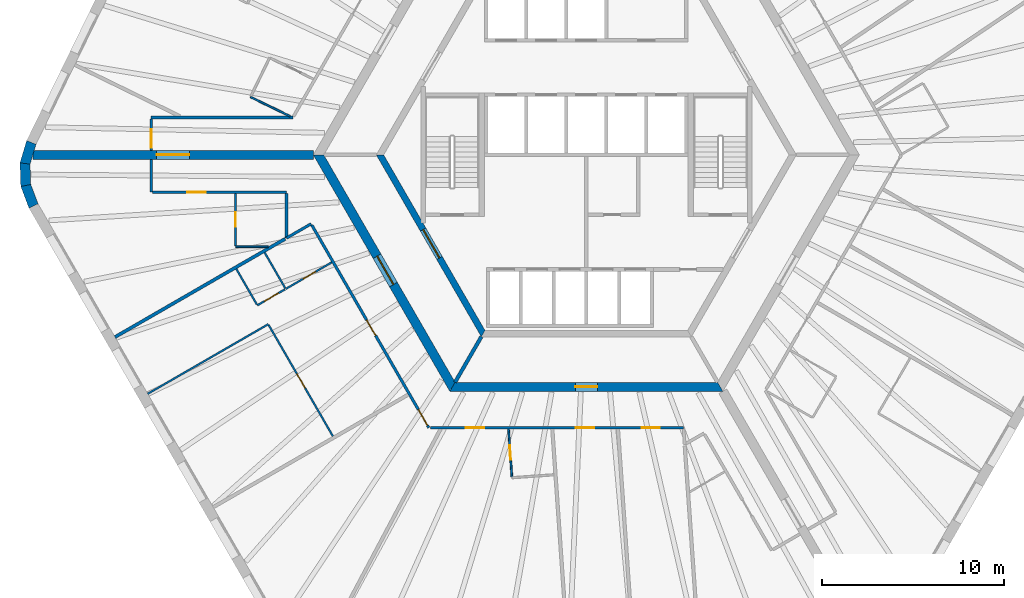
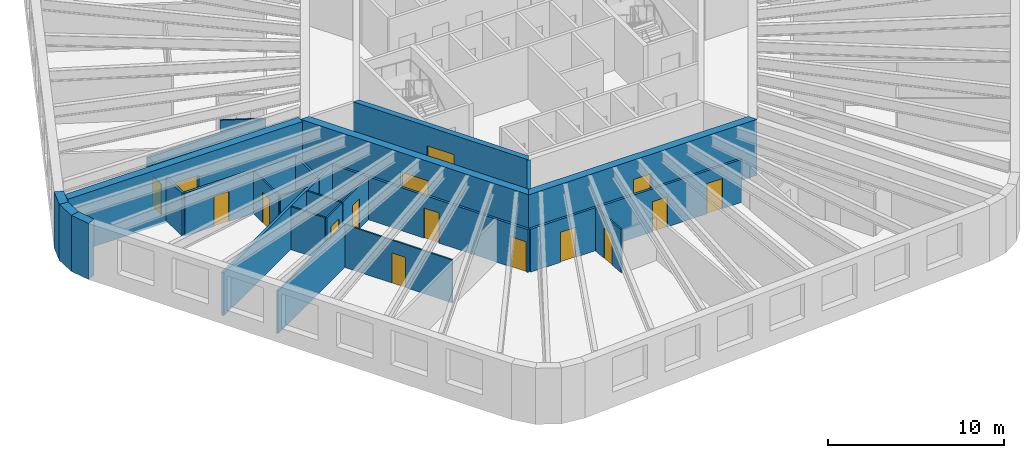
# One storey, part 3 of 10: 27 walls, 16 doors, 16 openings.
"""IFC4 building model written with IfcOpenShell, lengths in metres."""

from ifc_helpers import new_model, si_unit, direction, frame, frame_2d, origin, place, context, subcontext, project, spatial, polyline, rectangle, outline, extrude, material, layer, layer_set, type_object, element, fill, save


model = new_model("IFC4")

# Units and contexts
model_context = context("Model", 3, precision=1e-05, world=origin(), true_north=direction((0.0, 1.0)))
body_context = subcontext(model_context, "Body", "Model", "MODEL_VIEW")
ifc_project = project(units=[si_unit("LENGTHUNIT", "METRE"), si_unit("AREAUNIT", "SQUARE_METRE"), si_unit("VOLUMEUNIT", "CUBIC_METRE"), si_unit("PLANEANGLEUNIT", "RADIAN"), si_unit("MASSUNIT", "GRAM", prefix="KILO")], contexts=[model_context])

# Site, building, storey
site_placement = place(None, origin())
site = spatial("IfcSite", under=ifc_project, at=site_placement, CompositionType="ELEMENT")
building_placement = place(site_placement, origin())
building = spatial("IfcBuilding", under=site, at=building_placement, Name="Tarnside Tower", CompositionType="ELEMENT")
storey_placement = place(building_placement, frame((0.0, 0.0, 203.39990234375)))
storey = spatial("IfcBuildingStorey", under=building, at=storey_placement, Name="L48", CompositionType="ELEMENT", Elevation=203.39990234375)

# Walls
ifc_material_1 = material(Name="Gypsum board partition on steel studs", Category="steel")
ifc_layer_1 = layer(ifc_material_1, 0.10009765625)
ifc_layer_set_1 = layer_set([ifc_layer_1], Name="Bathroom wall 100")
wall_type_1 = type_object("IfcWallType", Name="Bathroom wall 100", PredefinedType="PARTITIONING", material=ifc_layer_set_1)
wall_1_placement = place(storey_placement, frame((-16.290771484375, 2.125, 0.0), z_axis=(0.0, 0.0, 1.0), x_axis=(-0.898785911157, 0.438387825909, 0.0)))
element("IfcWall", 1, at=wall_1_placement, inside=storey, type_object=wall_type_1, Name="Bathroom wall 15065", PredefinedType="PARTITIONING", context=body_context, shape_type="SweptSolid", body=[
    extrude(rectangle(XDim=2.41796875, YDim=0.10009765625, at=frame_2d((1.208984375, 0.0))), origin(), (0.0, 0.0, 1.0), 2.98779296875),
])
wall_2_placement = place(storey_placement, frame((-17.4912109375, -5.050048828125, 0.0), z_axis=(0.0, 0.0, 1.0), x_axis=(-1.0, 0.0, 0.0)))
element("IfcWall", 2, at=wall_2_placement, inside=storey, type_object=wall_type_1, Name="Bathroom wall 15071", PredefinedType="PARTITIONING", context=body_context, shape_type="SweptSolid", body=[
    extrude(rectangle(XDim=1.795654296875, YDim=0.10009765625, at=frame_2d((0.89794921875, 0.0))), origin(), (0.0, 0.0, 1.0), 2.98779296875),
])

# Wall, opening, door
wall_3_placement = place(storey_placement, frame((-19.286865234375, -5.0, 0.0), z_axis=(0.0, 0.0, 1.0), x_axis=(0.0, 1.0, 0.0)))
wall_3 = element("IfcWall", 3, at=wall_3_placement, inside=storey, type_object=wall_type_1, Name="Bathroom wall 15072", PredefinedType="PARTITIONING", context=body_context, shape_type="SweptSolid", body=[
    extrude(rectangle(XDim=2.875, YDim=0.10009765625, at=frame_2d((1.4375, 0.0))), origin(), (0.0, 0.0, 1.0), 2.98779296875),
])
opening_1_placement = place(wall_3_placement, frame((1.050048828125, 0.0, 0.0)))
opening_1 = element("IfcOpeningElement", 4, at=opening_1_placement, cuts=wall_3, Name="Opening D-B1", PredefinedType="OPENING", context=body_context, shape_type="SweptSolid", body=[
    extrude(rectangle(XDim=0.800048828125, YDim=2.10009765625, at=frame_2d((0.39990234375, 1.050048828125))), frame((0.0, 0.06005859375, 0.0), z_axis=(0.0, -1.0, 0.0), x_axis=(1.0, 0.0, 0.0)), (0.0, 0.0, 1.0), 0.1201171875),
])
ifc_material_2 = material(Name="Timber door leaf", Category="wood")
door_type_1 = type_object("IfcDoorType", Name="Bathroom door 800", OperationType="NOTDEFINED", PredefinedType="DOOR", material=ifc_material_2)
door_1_placement = place(opening_1_placement, origin())
door_1 = element("IfcDoor", 5, at=door_1_placement, inside=storey, type_object=door_type_1, Name="Bathroom door 15013", OperationType="SINGLE_SWING_LEFT", OverallHeight=2.10009765625, OverallWidth=0.800048828125, PredefinedType="DOOR", context=body_context, shape_type="SweptSolid", body=[
    extrude(rectangle(XDim=0.800048828125, YDim=2.10009765625, at=frame_2d((0.39990234375, 1.050048828125))), frame((0.0, 0.02490234375, 0.0), z_axis=(0.0, -1.0, 0.0), x_axis=(1.0, 0.0, 0.0)), (0.0, 0.0, 1.0), 0.050048828125),
])
fill(opening_1, door_1)

wall_4_placement = place(storey_placement, frame((-13.996337890625, -5.907470703125, 0.0), z_axis=(0.0, 0.0, 1.0), x_axis=(-0.86601045545, -0.500025890382, 0.0)))
wall_4 = element("IfcWall", 6, at=wall_4_placement, inside=storey, type_object=wall_type_1, Name="Bathroom wall 15077", PredefinedType="PARTITIONING", context=body_context, shape_type="SweptSolid", body=[
    extrude(rectangle(XDim=2.925048828125, YDim=0.10009765625, at=frame_2d((1.46240234375, 0.0))), origin(), (0.0, 0.0, 1.0), 2.98779296875),
])
opening_2_placement = place(wall_4_placement, frame((1.02490234375, 0.0, 0.0)))
opening_2 = element("IfcOpeningElement", 7, at=opening_2_placement, cuts=wall_4, Name="Opening D-B1", PredefinedType="OPENING", context=body_context, shape_type="SweptSolid", body=[
    extrude(rectangle(XDim=0.800048828125, YDim=2.10009765625, at=frame_2d((0.39990234375, 1.050048828125))), frame((0.0, 0.06005859375, 0.0), z_axis=(0.0, -1.0, 0.0), x_axis=(1.0, 0.0, 0.0)), (0.0, 0.0, 1.0), 0.1201171875),
])
door_2_placement = place(opening_2_placement, origin())
door_2 = element("IfcDoor", 8, at=door_2_placement, inside=storey, type_object=door_type_1, Name="Bathroom door 15015", OperationType="SINGLE_SWING_RIGHT", OverallHeight=2.10009765625, OverallWidth=0.800048828125, PredefinedType="DOOR", context=body_context, shape_type="SweptSolid", body=[
    extrude(rectangle(XDim=0.800048828125, YDim=2.10009765625, at=frame_2d((0.39990234375, 1.050048828125))), frame((0.0, 0.02490234375, 0.0), z_axis=(0.0, -1.0, 0.0), x_axis=(1.0, 0.0, 0.0)), (0.0, 0.0, 1.0), 0.050048828125),
])
fill(opening_2, door_2)

# Wall
wall_5_placement = place(storey_placement, frame((-17.6845703125, -5.36962890625, 0.0), z_axis=(0.0, 0.0, 1.0), x_axis=(0.500077800282, -0.865980481111, 0.0)))
element("IfcWall", 9, at=wall_5_placement, inside=storey, type_object=wall_type_1, Name="Bathroom wall 15083", PredefinedType="PARTITIONING", context=body_context, shape_type="SweptSolid", body=[
    extrude(rectangle(XDim=2.260009765625, YDim=0.10009765625, at=frame_2d((1.1298828125, 0.0))), origin(), (0.0, 0.0, 1.0), 2.98779296875),
])

# Wall, opening, door
wall_6_placement = place(storey_placement, frame((-4.09326171875, -17.698486328125, 0.0), z_axis=(0.0, 0.0, 1.0), x_axis=(-0.069808804481, 0.997560389559, 0.0)))
wall_6 = element("IfcWall", 10, at=wall_6_placement, inside=storey, type_object=wall_type_1, Name="Bathroom wall 15087", PredefinedType="PARTITIONING", context=body_context, shape_type="SweptSolid", body=[
    extrude(rectangle(XDim=2.6298828125, YDim=0.10009765625, at=frame_2d((1.31494140625, 0.0))), origin(), (0.0, 0.0, 1.0), 2.98779296875),
])
opening_3_placement = place(wall_6_placement, frame((0.949951171875, 0.0, 0.0)))
opening_3 = element("IfcOpeningElement", 11, at=opening_3_placement, cuts=wall_6, Name="Opening D-B1", PredefinedType="OPENING", context=body_context, shape_type="SweptSolid", body=[
    extrude(rectangle(XDim=0.800048828125, YDim=2.10009765625, at=frame_2d((0.39990234375, 1.050048828125))), frame((0.0, 0.06005859375, 0.0), z_axis=(0.0, -1.0, 0.0), x_axis=(1.0, 0.0, 0.0)), (0.0, 0.0, 1.0), 0.1201171875),
])
door_3_placement = place(opening_3_placement, origin())
door_3 = element("IfcDoor", 12, at=door_3_placement, inside=storey, type_object=door_type_1, Name="Bathroom door 15020", OperationType="SINGLE_SWING_LEFT", OverallHeight=2.10009765625, OverallWidth=0.800048828125, PredefinedType="DOOR", context=body_context, shape_type="SweptSolid", body=[
    extrude(rectangle(XDim=0.800048828125, YDim=2.10009765625, at=frame_2d((0.39990234375, 1.050048828125))), frame((0.0, 0.02490234375, 0.0), z_axis=(0.0, -1.0, 0.0), x_axis=(1.0, 0.0, 0.0)), (0.0, 0.0, 1.0), 0.050048828125),
])
fill(opening_3, door_3)

ifc_material_3 = material(Name="Concrete C50/60", Category="concrete")
ifc_layer_2 = layer(ifc_material_3, 0.35009765625)
ifc_layer_set_2 = layer_set([ifc_layer_2], Name="Core block wall 350 C50/60")
wall_type_2 = type_object("IfcWallType", Name="Core block wall 350 C50/60", PredefinedType="SHEAR", material=ifc_layer_set_2)
wall_7_placement = place(storey_placement, frame((-11.344970703125, 0.0, -0.14990234375), z_axis=(0.0, 0.0, 1.0), x_axis=(0.499995046907, -0.866028263435, 0.0)))
wall_7 = element("IfcWall", 13, at=wall_7_placement, inside=storey, type_object=wall_type_2, Name="L48 core block wall face 3", PredefinedType="SHEAR", context=body_context, shape_type="SweptSolid", body=[
    extrude(outline(polyline([(-0.10107421875, -0.175048828125), (11.44580078125, -0.175048828125), (11.24365234375, 0.175048828125), (0.10107421875, 0.175048828125), (-0.10107421875, -0.175048828125)])), origin(), (0.0, 0.0, 1.0), 3.89990234375),
])
opening_4_placement = place(wall_7_placement, frame((4.74365234375, 0.0, 0.14990234375)))
opening_4 = element("IfcOpeningElement", 14, at=opening_4_placement, cuts=wall_7, Name="Opening CD-FFL", PredefinedType="OPENING", context=body_context, shape_type="SweptSolid", body=[
    extrude(rectangle(XDim=1.800048828125, YDim=2.39990234375, at=frame_2d((0.89990234375, 1.199951171875))), frame((0.0, 0.18505859375, 0.0), z_axis=(0.0, -1.0, 0.0), x_axis=(1.0, 0.0, 0.0)), (0.0, 0.0, 1.0), 0.3701171875),
])
ifc_material_4 = material(Name="Steel fire door", Category="steel")
door_type_2 = type_object("IfcDoorType", Name="Firefighting lobby double door FD60S 1800x2400", OperationType="NOTDEFINED", PredefinedType="DOOR", material=ifc_material_4)
door_4_placement = place(opening_4_placement, origin())
door_4 = element("IfcDoor", 15, at=door_4_placement, inside=storey, type_object=door_type_2, Name="L48 lobby block door P3", OperationType="DOUBLE_DOOR_SINGLE_SWING", OverallHeight=2.39990234375, OverallWidth=1.800048828125, PredefinedType="DOOR", context=body_context, shape_type="SweptSolid", body=[
    extrude(rectangle(XDim=1.800048828125, YDim=2.39990234375, at=frame_2d((0.89990234375, 1.199951171875))), frame((0.0, 0.02490234375, 0.0), z_axis=(0.0, -1.0, 0.0), x_axis=(1.0, 0.0, 0.0)), (0.0, 0.0, 1.0), 0.050048828125),
])
fill(opening_4, door_4)

ifc_material_5 = material(Name="Concrete C70/85", Category="concrete")
ifc_layer_3 = layer(ifc_material_5, 0.5)
ifc_layer_set_3 = layer_set([ifc_layer_3], Name="Core wall Z2 500 C70/85")
wall_type_3 = type_object("IfcWallType", Name="Core wall Z2 500 C70/85", PredefinedType="SHEAR", material=ifc_layer_set_3)
wall_8_placement = place(storey_placement, frame((-14.722412109375, 0.0, -0.14990234375), z_axis=(0.0, 0.0, 1.0), x_axis=(0.50000571537, -0.866022103989, 0.0)))
wall_8 = element("IfcWall", 16, at=wall_8_placement, inside=storey, type_object=wall_type_3, Name="L48 core wall face 3", PredefinedType="SHEAR", context=body_context, shape_type="SweptSolid", body=[
    extrude(outline(polyline([(-0.144287109375, -0.25), (14.86669921875, -0.25), (14.578125, 0.25), (0.144287109375, 0.25), (-0.144287109375, -0.25)])), origin(), (0.0, 0.0, 1.0), 3.89990234375),
])
opening_5_placement = place(wall_8_placement, frame((6.432373046875, 0.0, 0.14990234375)))
opening_5 = element("IfcOpeningElement", 17, at=opening_5_placement, cuts=wall_8, Name="Opening CD-FFL", PredefinedType="OPENING", context=body_context, shape_type="SweptSolid", body=[
    extrude(rectangle(XDim=1.800048828125, YDim=2.39990234375, at=frame_2d((0.89990234375, 1.199951171875))), frame((0.0, 0.260009765625, 0.0), z_axis=(0.0, -1.0, 0.0), x_axis=(1.0, 0.0, 0.0)), (0.0, 0.0, 1.0), 0.52001953125),
])
door_5_placement = place(opening_5_placement, origin())
door_5 = element("IfcDoor", 18, at=door_5_placement, inside=storey, type_object=door_type_2, Name="L48 core door P3", OperationType="DOUBLE_DOOR_SINGLE_SWING", OverallHeight=2.39990234375, OverallWidth=1.800048828125, PredefinedType="DOOR", context=body_context, shape_type="SweptSolid", body=[
    extrude(rectangle(XDim=1.800048828125, YDim=2.39990234375, at=frame_2d((0.89990234375, 1.199951171875))), frame((0.0, 0.02490234375, 0.0), z_axis=(0.0, -1.0, 0.0), x_axis=(1.0, 0.0, 0.0)), (0.0, 0.0, 1.0), 0.050048828125),
])
fill(opening_5, door_5)

wall_9_placement = place(storey_placement, frame((-7.361083984375, -12.75, -0.14990234375), z_axis=(0.0, 0.0, 1.0), x_axis=(1.0, 0.0, 0.0)))
wall_9 = element("IfcWall", 19, at=wall_9_placement, inside=storey, type_object=wall_type_3, Name="L48 core wall face 4", PredefinedType="SHEAR", context=body_context, shape_type="SweptSolid", body=[
    extrude(outline(polyline([(-0.144287109375, -0.25), (14.866455078125, -0.25), (14.577880859375, 0.25), (0.144287109375, 0.25), (-0.144287109375, -0.25)])), origin(), (0.0, 0.0, 1.0), 3.89990234375),
])
opening_6_placement = place(wall_9_placement, frame((6.76123046875, 0.0, 0.14990234375)))
opening_6 = element("IfcOpeningElement", 20, at=opening_6_placement, cuts=wall_9, Name="Opening CD-RSR", PredefinedType="OPENING", context=body_context, shape_type="SweptSolid", body=[
    extrude(rectangle(XDim=1.199951171875, YDim=2.39990234375, at=frame_2d((0.60009765625, 1.199951171875))), frame((0.0, 0.260009765625, 0.0), z_axis=(0.0, -1.0, 0.0), x_axis=(1.0, 0.0, 0.0)), (0.0, 0.0, 1.0), 0.52001953125),
])
door_type_3 = type_object("IfcDoorType", Name="Riser door FD60 1200x2400", OperationType="NOTDEFINED", PredefinedType="DOOR", material=ifc_material_4)
door_6_placement = place(opening_6_placement, origin())
door_6 = element("IfcDoor", 21, at=door_6_placement, inside=storey, type_object=door_type_3, Name="L48 core door S6", OperationType="SINGLE_SWING_LEFT", OverallHeight=2.39990234375, OverallWidth=1.199951171875, PredefinedType="DOOR", context=body_context, shape_type="SweptSolid", body=[
    extrude(rectangle(XDim=1.199951171875, YDim=2.39990234375, at=frame_2d((0.60009765625, 1.199951171875))), frame((0.0, 0.02490234375, 0.0), z_axis=(0.0, -1.0, 0.0), x_axis=(1.0, 0.0, 0.0)), (0.0, 0.0, 1.0), 0.050048828125),
])
fill(opening_6, door_6)

wall_10_placement = place(storey_placement, frame((-15.010986328125, 0.0, -0.14990234375), z_axis=(0.0, 0.0, 1.0), x_axis=(-1.0, 0.0, 0.0)))
wall_10 = element("IfcWall", 22, at=wall_10_placement, inside=storey, type_object=wall_type_3, Name="L48 spine wall 2", PredefinedType="SHEAR", context=body_context, shape_type="SweptSolid", body=[
    extrude(rectangle(XDim=15.423828125, YDim=0.5, at=frame_2d((7.7119140625, 0.0))), origin(), (0.0, 0.0, 1.0), 3.89990234375),
])
opening_7_placement = place(wall_10_placement, frame((6.811767578125, 0.0, 0.14990234375)))
opening_7 = element("IfcOpeningElement", 23, at=opening_7_placement, cuts=wall_10, Name="Opening CD-SPN", PredefinedType="OPENING", context=body_context, shape_type="SweptSolid", body=[
    extrude(rectangle(XDim=1.800048828125, YDim=2.39990234375, at=frame_2d((0.89990234375, 1.199951171875))), frame((0.0, 0.260009765625, 0.0), z_axis=(0.0, -1.0, 0.0), x_axis=(1.0, 0.0, 0.0)), (0.0, 0.0, 1.0), 0.52001953125),
])
door_type_4 = type_object("IfcDoorType", Name="Spine passage double door FD60 1800x2400", OperationType="NOTDEFINED", PredefinedType="DOOR", material=ifc_material_4)
door_7_placement = place(opening_7_placement, origin())
door_7 = element("IfcDoor", 24, at=door_7_placement, inside=storey, type_object=door_type_4, Name="L48 spine passage door 2", OperationType="DOUBLE_DOOR_SINGLE_SWING", OverallHeight=2.39990234375, OverallWidth=1.800048828125, PredefinedType="DOOR", context=body_context, shape_type="SweptSolid", body=[
    extrude(rectangle(XDim=1.800048828125, YDim=2.39990234375, at=frame_2d((0.89990234375, 1.199951171875))), frame((0.0, 0.02490234375, 0.0), z_axis=(0.0, -1.0, 0.0), x_axis=(1.0, 0.0, 0.0)), (0.0, 0.0, 1.0), 0.050048828125),
])
fill(opening_7, door_7)

# Wall
ifc_layer_4 = layer(ifc_material_1, 0.14990234375)
ifc_layer_set_4 = layer_set([ifc_layer_4], Name="Corridor wall 150 EI 60")
wall_type_4 = type_object("IfcWallType", Name="Corridor wall 150 EI 60", PredefinedType="PARTITIONING", material=ifc_layer_set_4)
wall_11_placement = place(storey_placement, frame((-16.136962890625, 2.050048828125, 0.0), z_axis=(0.0, 0.0, 1.0), x_axis=(-1.0, 0.0, 0.0)))
element("IfcWall", 25, at=wall_11_placement, inside=storey, type_object=wall_type_4, Name="Corridor wall 15010", PredefinedType="PARTITIONING", context=body_context, shape_type="SweptSolid", body=[
    extrude(rectangle(XDim=7.785888671875, YDim=0.14990234375, at=frame_2d((3.89306640625, 0.0))), origin(), (0.0, 0.0, 1.0), 2.98779296875),
])

# Wall, opening, door
wall_12_placement = place(storey_placement, frame((-23.9228515625, 1.97509765625, 0.0), z_axis=(0.0, 0.0, 1.0), x_axis=(0.0, -1.0, 0.0)))
wall_12 = element("IfcWall", 26, at=wall_12_placement, inside=storey, type_object=wall_type_4, Name="Corridor wall 15014", PredefinedType="PARTITIONING", context=body_context, shape_type="SweptSolid", body=[
    extrude(rectangle(XDim=1.72509765625, YDim=0.14990234375, at=frame_2d((0.862548828125, 0.0))), origin(), (0.0, 0.0, 1.0), 2.98779296875),
])
opening_8_placement = place(wall_12_placement, frame((0.574951171875, 0.0, 0.0)))
opening_8 = element("IfcOpeningElement", 27, at=opening_8_placement, cuts=wall_12, Name="Opening D-E1", PredefinedType="OPENING", context=body_context, shape_type="SweptSolid", body=[
    extrude(rectangle(XDim=1.0, YDim=2.10009765625, at=frame_2d((0.5, 1.050048828125))), frame((0.0, 0.0849609375, 0.0), z_axis=(0.0, -1.0, 0.0), x_axis=(1.0, 0.0, 0.0)), (0.0, 0.0, 1.0), 0.169921875),
])
door_type_5 = type_object("IfcDoorType", Name="Unit entrance door 1000 FD30S", OperationType="NOTDEFINED", PredefinedType="DOOR", material=ifc_material_2)
door_8_placement = place(opening_8_placement, origin())
door_8 = element("IfcDoor", 28, at=door_8_placement, inside=storey, type_object=door_type_5, Name="Unit door 15011", OperationType="SINGLE_SWING_LEFT", OverallHeight=2.10009765625, OverallWidth=1.0, PredefinedType="DOOR", context=body_context, shape_type="SweptSolid", body=[
    extrude(rectangle(XDim=1.0, YDim=2.10009765625, at=frame_2d((0.5, 1.050048828125))), frame((0.0, 0.02490234375, 0.0), z_axis=(0.0, -1.0, 0.0), x_axis=(1.0, 0.0, 0.0)), (0.0, 0.0, 1.0), 0.050048828125),
])
fill(opening_8, door_8)

# Wall
wall_13_placement = place(storey_placement, frame((-23.9228515625, -0.25, 0.0), z_axis=(0.0, 0.0, 1.0), x_axis=(0.0, -1.0, 0.0)))
element("IfcWall", 29, at=wall_13_placement, inside=storey, type_object=wall_type_4, Name="Corridor wall 15015", PredefinedType="PARTITIONING", context=body_context, shape_type="SweptSolid", body=[
    extrude(rectangle(XDim=1.800048828125, YDim=0.14990234375, at=frame_2d((0.89990234375, 0.0))), origin(), (0.0, 0.0, 1.0), 2.98779296875),
])

# Wall, opening, door
wall_14_placement = place(storey_placement, frame((-23.847900390625, -2.050048828125, 0.0), z_axis=(0.0, 0.0, 1.0), x_axis=(1.0, 0.0, 0.0)))
wall_14 = element("IfcWall", 30, at=wall_14_placement, inside=storey, type_object=wall_type_4, Name="Corridor wall 15016", PredefinedType="PARTITIONING", context=body_context, shape_type="SweptSolid", body=[
    extrude(rectangle(XDim=7.36083984375, YDim=0.14990234375, at=frame_2d((3.680419921875, 0.0))), origin(), (0.0, 0.0, 1.0), 2.98779296875),
])
opening_9_placement = place(wall_14_placement, frame((1.91796875, 0.0, 0.0)))
opening_9 = element("IfcOpeningElement", 31, at=opening_9_placement, cuts=wall_14, Name="Opening D-E1", PredefinedType="OPENING", context=body_context, shape_type="SweptSolid", body=[
    extrude(rectangle(XDim=1.0, YDim=2.10009765625, at=frame_2d((0.5, 1.050048828125))), frame((0.0, 0.0849609375, 0.0), z_axis=(0.0, -1.0, 0.0), x_axis=(1.0, 0.0, 0.0)), (0.0, 0.0, 1.0), 0.169921875),
])
door_9_placement = place(opening_9_placement, origin())
door_9 = element("IfcDoor", 32, at=door_9_placement, inside=storey, type_object=door_type_5, Name="Unit door 15012", OperationType="SINGLE_SWING_LEFT", OverallHeight=2.10009765625, OverallWidth=1.0, PredefinedType="DOOR", context=body_context, shape_type="SweptSolid", body=[
    extrude(rectangle(XDim=1.0, YDim=2.10009765625, at=frame_2d((0.5, 1.050048828125))), frame((0.0, 0.02490234375, 0.0), z_axis=(0.0, -1.0, 0.0), x_axis=(1.0, 0.0, 0.0)), (0.0, 0.0, 1.0), 0.050048828125),
])
fill(opening_9, door_9)

# Wall
wall_15_placement = place(storey_placement, frame((-16.487060546875, -2.125, 0.0), z_axis=(0.0, 0.0, 1.0), x_axis=(0.0, -1.0, 0.0)))
element("IfcWall", 33, at=wall_15_placement, inside=storey, type_object=wall_type_4, Name="Corridor wall 15018", PredefinedType="PARTITIONING", context=body_context, shape_type="SweptSolid", body=[
    extrude(rectangle(XDim=2.44921875, YDim=0.14990234375, at=frame_2d((1.224609375, 0.0))), origin(), (0.0, 0.0, 1.0), 2.98779296875),
])

# Wall, openings, doors
wall_16_placement = place(storey_placement, frame((-15.093994140625, -3.8564453125, 0.0), z_axis=(0.0, 0.0, 1.0), x_axis=(0.500006037985, -0.866021917724, 0.0)))
wall_16 = element("IfcWall", 34, at=wall_16_placement, inside=storey, type_object=wall_type_4, Name="Corridor wall 15019", PredefinedType="PARTITIONING", context=body_context, shape_type="SweptSolid", body=[
    extrude(rectangle(XDim=12.867431640625, YDim=0.14990234375, at=frame_2d((6.43359375, 0.0))), origin(), (0.0, 0.0, 1.0), 2.98779296875),
])
opening_10_placement = place(wall_16_placement, frame((6.02490234375, 0.0, 0.0)))
opening_10 = element("IfcOpeningElement", 35, at=opening_10_placement, cuts=wall_16, Name="Opening D-E1", PredefinedType="OPENING", context=body_context, shape_type="SweptSolid", body=[
    extrude(rectangle(XDim=1.0, YDim=2.10009765625, at=frame_2d((0.5, 1.050048828125))), frame((0.0, 0.0849609375, 0.0), z_axis=(0.0, -1.0, 0.0), x_axis=(1.0, 0.0, 0.0)), (0.0, 0.0, 1.0), 0.169921875),
])
opening_11_placement = place(wall_16_placement, frame((11.71728515625, 0.0, 0.0)))
opening_11 = element("IfcOpeningElement", 36, at=opening_11_placement, cuts=wall_16, Name="Opening D-E1", PredefinedType="OPENING", context=body_context, shape_type="SweptSolid", body=[
    extrude(rectangle(XDim=1.0, YDim=2.10009765625, at=frame_2d((0.5, 1.050048828125))), frame((0.0, 0.0849609375, 0.0), z_axis=(0.0, -1.0, 0.0), x_axis=(1.0, 0.0, 0.0)), (0.0, 0.0, 1.0), 0.169921875),
])
door_10_placement = place(opening_10_placement, origin())
door_10 = element("IfcDoor", 37, at=door_10_placement, inside=storey, type_object=door_type_5, Name="Unit door 15014", OperationType="SINGLE_SWING_LEFT", OverallHeight=2.10009765625, OverallWidth=1.0, PredefinedType="DOOR", context=body_context, shape_type="SweptSolid", body=[
    extrude(rectangle(XDim=1.0, YDim=2.10009765625, at=frame_2d((0.5, 1.050048828125))), frame((0.0, 0.02490234375, 0.0), z_axis=(0.0, -1.0, 0.0), x_axis=(1.0, 0.0, 0.0)), (0.0, 0.0, 1.0), 0.050048828125),
])
fill(opening_10, door_10)
door_11_placement = place(opening_11_placement, origin())
door_11 = element("IfcDoor", 38, at=door_11_placement, inside=storey, type_object=door_type_5, Name="Unit door 15018", OperationType="SINGLE_SWING_LEFT", OverallHeight=2.10009765625, OverallWidth=1.0, PredefinedType="DOOR", context=body_context, shape_type="SweptSolid", body=[
    extrude(rectangle(XDim=1.0, YDim=2.10009765625, at=frame_2d((0.5, 1.050048828125))), frame((0.0, 0.02490234375, 0.0), z_axis=(0.0, -1.0, 0.0), x_axis=(1.0, 0.0, 0.0)), (0.0, 0.0, 1.0), 0.050048828125),
])
fill(opening_11, door_11)

# Wall
wall_17_placement = place(storey_placement, frame((-16.490234375, -4.576171875, 0.0), z_axis=(0.0, 0.0, 1.0), x_axis=(0.865993845424, 0.5000546567, 0.0)))
element("IfcWall", 39, at=wall_17_placement, inside=storey, type_object=wall_type_4, Name="Corridor wall 15020", PredefinedType="PARTITIONING", context=body_context, shape_type="SweptSolid", body=[
    extrude(rectangle(XDim=1.569091796875, YDim=0.14990234375, at=frame_2d((0.78466796875, 0.0))), origin(), (0.0, 0.0, 1.0), 2.98779296875),
])

# Wall, openings, doors
wall_18_placement = place(storey_placement, frame((-8.57373046875, -15.0, 0.0), z_axis=(0.0, 0.0, 1.0), x_axis=(1.0, 0.0, 0.0)))
wall_18 = element("IfcWall", 40, at=wall_18_placement, inside=storey, type_object=wall_type_4, Name="Corridor wall 15023", PredefinedType="PARTITIONING", context=body_context, shape_type="SweptSolid", body=[
    extrude(rectangle(XDim=13.9150390625, YDim=0.14990234375, at=frame_2d((6.95751953125, 0.0))), origin(), (0.0, 0.0, 1.0), 2.98779296875),
])
opening_12_placement = place(wall_18_placement, frame((1.95068359375, 0.0, 0.0)))
opening_12 = element("IfcOpeningElement", 41, at=opening_12_placement, cuts=wall_18, Name="Opening D-E1", PredefinedType="OPENING", context=body_context, shape_type="SweptSolid", body=[
    extrude(rectangle(XDim=1.0, YDim=2.10009765625, at=frame_2d((0.5, 1.050048828125))), frame((0.0, 0.0849609375, 0.0), z_axis=(0.0, -1.0, 0.0), x_axis=(1.0, 0.0, 0.0)), (0.0, 0.0, 1.0), 0.169921875),
])
opening_13_placement = place(wall_18_placement, frame((8.001953125, 0.0, 0.0)))
opening_13 = element("IfcOpeningElement", 42, at=opening_13_placement, cuts=wall_18, Name="Opening D-E1", PredefinedType="OPENING", context=body_context, shape_type="SweptSolid", body=[
    extrude(rectangle(XDim=1.0, YDim=2.10009765625, at=frame_2d((0.5, 1.050048828125))), frame((0.0, 0.0849609375, 0.0), z_axis=(0.0, -1.0, 0.0), x_axis=(1.0, 0.0, 0.0)), (0.0, 0.0, 1.0), 0.169921875),
])
opening_14_placement = place(wall_18_placement, frame((11.610595703125, 0.0, 0.0)))
opening_14 = element("IfcOpeningElement", 43, at=opening_14_placement, cuts=wall_18, Name="Opening D-E1", PredefinedType="OPENING", context=body_context, shape_type="SweptSolid", body=[
    extrude(rectangle(XDim=1.0, YDim=2.10009765625, at=frame_2d((0.5, 1.050048828125))), frame((0.0, 0.0849609375, 0.0), z_axis=(0.0, -1.0, 0.0), x_axis=(1.0, 0.0, 0.0)), (0.0, 0.0, 1.0), 0.169921875),
])
door_12_placement = place(opening_12_placement, origin())
door_12 = element("IfcDoor", 44, at=door_12_placement, inside=storey, type_object=door_type_5, Name="Unit door 15019", OperationType="SINGLE_SWING_LEFT", OverallHeight=2.10009765625, OverallWidth=1.0, PredefinedType="DOOR", context=body_context, shape_type="SweptSolid", body=[
    extrude(rectangle(XDim=1.0, YDim=2.10009765625, at=frame_2d((0.5, 1.050048828125))), frame((0.0, 0.02490234375, 0.0), z_axis=(0.0, -1.0, 0.0), x_axis=(1.0, 0.0, 0.0)), (0.0, 0.0, 1.0), 0.050048828125),
])
fill(opening_12, door_12)
door_13_placement = place(opening_13_placement, origin())
door_13 = element("IfcDoor", 45, at=door_13_placement, inside=storey, type_object=door_type_5, Name="Unit door 15021", OperationType="SINGLE_SWING_RIGHT", OverallHeight=2.10009765625, OverallWidth=1.0, PredefinedType="DOOR", context=body_context, shape_type="SweptSolid", body=[
    extrude(rectangle(XDim=1.0, YDim=2.10009765625, at=frame_2d((0.5, 1.050048828125))), frame((0.0, 0.02490234375, 0.0), z_axis=(0.0, -1.0, 0.0), x_axis=(1.0, 0.0, 0.0)), (0.0, 0.0, 1.0), 0.050048828125),
])
fill(opening_13, door_13)
door_14_placement = place(opening_14_placement, origin())
door_14 = element("IfcDoor", 46, at=door_14_placement, inside=storey, type_object=door_type_5, Name="Unit door 15022", OperationType="SINGLE_SWING_RIGHT", OverallHeight=2.10009765625, OverallWidth=1.0, PredefinedType="DOOR", context=body_context, shape_type="SweptSolid", body=[
    extrude(rectangle(XDim=1.0, YDim=2.10009765625, at=frame_2d((0.5, 1.050048828125))), frame((0.0, 0.02490234375, 0.0), z_axis=(0.0, -1.0, 0.0), x_axis=(1.0, 0.0, 0.0)), (0.0, 0.0, 1.0), 0.050048828125),
])
fill(opening_14, door_14)

# Walls
ifc_layer_5 = layer(ifc_material_1, 0.179931640625)
ifc_layer_set_5 = layer_set([ifc_layer_5], Name="Demising wall 180 EI 60")
wall_type_5 = type_object("IfcWallType", Name="Demising wall 180 EI 60", PredefinedType="PARTITIONING", material=ifc_layer_set_5)
wall_19_placement = place(storey_placement, frame((-25.91357421875, -10.0166015625, 0.0), z_axis=(0.0, 0.0, 1.0), x_axis=(0.866019956843, 0.50000943426, 0.0)))
element("IfcWall", 47, at=wall_19_placement, inside=storey, type_object=wall_type_5, Name="Demising wall 15073", PredefinedType="PARTITIONING", context=body_context, shape_type="SweptSolid", body=[
    extrude(rectangle(XDim=10.800537109375, YDim=0.179931640625, at=frame_2d((5.400390625, 0.0))), origin(), (0.0, 0.0, 1.0), 2.98779296875),
])
ifc_material_6 = material(Name="Concrete C40/50", Category="concrete")
ifc_layer_6 = layer(ifc_material_6, 0.199951171875)
ifc_layer_set_6 = layer_set([ifc_layer_6], Name="Lift shaft wall 200 C40/50")
wall_type_6 = type_object("IfcWallType", Name="Lift shaft wall 200 C40/50", PredefinedType="SHEAR", material=ifc_layer_set_6)
wall_20_placement = place(storey_placement, frame((-5.7734375, -10.0, -0.14990234375), z_axis=(0.0, 0.0, 1.0), x_axis=(-0.499995765644, -0.866027848477, 0.0)))
element("IfcWall", 48, at=wall_20_placement, inside=storey, type_object=wall_type_6, Name="L48 core partition AR240", PredefinedType="SHEAR", context=body_context, shape_type="SweptSolid", body=[
    extrude(rectangle(XDim=2.88671875, YDim=0.199951171875, at=frame_2d((1.443359375, 0.0))), origin(), (0.0, 0.0, 1.0), 3.89990234375),
])

# Wall, opening, door
ifc_layer_7 = layer(ifc_material_1, 0.10009765625)
ifc_layer_set_7 = layer_set([ifc_layer_7], Name="Partition 100")
wall_type_7 = type_object("IfcWallType", Name="Partition 100", PredefinedType="PARTITIONING", material=ifc_layer_set_7)
wall_21_placement = place(storey_placement, frame((-16.57275390625, -7.39501953125, 0.0), z_axis=(0.0, 0.0, 1.0), x_axis=(-0.866036909293, -0.499980071345, 0.0)))
wall_21 = element("IfcWall", 49, at=wall_21_placement, inside=storey, type_object=wall_type_7, Name="Partition wall 15078", PredefinedType="PARTITIONING", context=body_context, shape_type="SweptSolid", body=[
    extrude(rectangle(XDim=1.75, YDim=0.10009765625, at=frame_2d((0.875, 0.0))), origin(), (0.0, 0.0, 1.0), 2.98779296875),
])
opening_15_placement = place(wall_21_placement, frame((0.39990234375, 0.0, 0.0)))
opening_15 = element("IfcOpeningElement", 50, at=opening_15_placement, cuts=wall_21, Name="Opening D-I1", PredefinedType="OPENING", context=body_context, shape_type="SweptSolid", body=[
    extrude(rectangle(XDim=0.89990234375, YDim=2.10009765625, at=frame_2d((0.449951171875, 1.050048828125))), frame((0.0, 0.06005859375, 0.0), z_axis=(0.0, -1.0, 0.0), x_axis=(1.0, 0.0, 0.0)), (0.0, 0.0, 1.0), 0.1201171875),
])
door_type_6 = type_object("IfcDoorType", Name="Internal door 900", OperationType="NOTDEFINED", PredefinedType="DOOR", material=ifc_material_2)
door_15_placement = place(opening_15_placement, origin())
door_15 = element("IfcDoor", 51, at=door_15_placement, inside=storey, type_object=door_type_6, Name="Internal door 15016", OperationType="SINGLE_SWING_RIGHT", OverallHeight=2.10009765625, OverallWidth=0.89990234375, PredefinedType="DOOR", context=body_context, shape_type="SweptSolid", body=[
    extrude(rectangle(XDim=0.89990234375, YDim=2.10009765625, at=frame_2d((0.449951171875, 1.050048828125))), frame((0.0, 0.02490234375, 0.0), z_axis=(0.0, -1.0, 0.0), x_axis=(1.0, 0.0, 0.0)), (0.0, 0.0, 1.0), 0.050048828125),
])
fill(opening_15, door_15)

# Walls
wall_22_placement = place(storey_placement, frame((-18.11328125, -8.226806640625, 0.0), z_axis=(0.0, 0.0, 1.0), x_axis=(-0.500031020067, 0.8660074936, 0.0)))
element("IfcWall", 52, at=wall_22_placement, inside=storey, type_object=wall_type_7, Name="Partition wall 15079", PredefinedType="PARTITIONING", context=body_context, shape_type="SweptSolid", body=[
    extrude(rectangle(XDim=2.260009765625, YDim=0.10009765625, at=frame_2d((1.1298828125, 0.0))), origin(), (0.0, 0.0, 1.0), 2.98779296875),
])
wall_23_placement = place(storey_placement, frame((-24.113525390625, -13.13427734375, 0.0), z_axis=(0.0, 0.0, 1.0), x_axis=(0.866033062874, 0.499986733834, 0.0)))
element("IfcWall", 53, at=wall_23_placement, inside=storey, type_object=wall_type_7, Name="Partition wall 15080", PredefinedType="PARTITIONING", context=body_context, shape_type="SweptSolid", body=[
    extrude(rectangle(XDim=7.650146484375, YDim=0.10009765625, at=frame_2d((3.8251953125, 0.0))), origin(), (0.0, 0.0, 1.0), 2.98779296875),
])

# Wall, opening, door
wall_24_placement = place(storey_placement, frame((-17.46337890625, -9.3525390625, 0.0), z_axis=(0.0, 0.0, 1.0), x_axis=(0.499995846692, -0.866027801685, 0.0)))
wall_24 = element("IfcWall", 54, at=wall_24_placement, inside=storey, type_object=wall_type_7, Name="Partition wall 15081", PredefinedType="PARTITIONING", context=body_context, shape_type="SweptSolid", body=[
    extrude(rectangle(XDim=7.06005859375, YDim=0.10009765625, at=frame_2d((3.530029296875, 0.0))), origin(), (0.0, 0.0, 1.0), 2.98779296875),
])
opening_16_placement = place(wall_24_placement, frame((3.10009765625, 0.0, 0.0)))
opening_16 = element("IfcOpeningElement", 55, at=opening_16_placement, cuts=wall_24, Name="Opening D-I1", PredefinedType="OPENING", context=body_context, shape_type="SweptSolid", body=[
    extrude(rectangle(XDim=0.89990234375, YDim=2.10009765625, at=frame_2d((0.449951171875, 1.050048828125))), frame((0.0, 0.06005859375, 0.0), z_axis=(0.0, -1.0, 0.0), x_axis=(1.0, 0.0, 0.0)), (0.0, 0.0, 1.0), 0.1201171875),
])
door_16_placement = place(opening_16_placement, origin())
door_16 = element("IfcDoor", 56, at=door_16_placement, inside=storey, type_object=door_type_6, Name="Internal door 15017", OperationType="SINGLE_SWING_RIGHT", OverallHeight=2.10009765625, OverallWidth=0.89990234375, PredefinedType="DOOR", context=body_context, shape_type="SweptSolid", body=[
    extrude(rectangle(XDim=0.89990234375, YDim=2.10009765625, at=frame_2d((0.449951171875, 1.050048828125))), frame((0.0, 0.02490234375, 0.0), z_axis=(0.0, -1.0, 0.0), x_axis=(1.0, 0.0, 0.0)), (0.0, 0.0, 1.0), 0.050048828125),
])
fill(opening_16, door_16)

# Walls
ifc_material_7 = material(Name="Facing brick", Category="masonry")
ifc_layer_8 = layer(ifc_material_7, 0.10205078125)
ifc_material_8 = material(Name="Concrete C60/75 precast", Category="concrete")
ifc_layer_9 = layer(ifc_material_8, 0.347900390625)
ifc_material_9 = material(Name="Mineral wool insulation")
ifc_layer_10 = layer(ifc_material_9, 0.10009765625)
ifc_layer_set_8 = layer_set([ifc_layer_8, ifc_layer_9, ifc_layer_10], Name="Tube wall 550 brick faced")
wall_type_8 = type_object("IfcWallType", Name="Tube wall 550 brick faced", PredefinedType="SOLIDWALL", material=ifc_layer_set_8)
wall_25_placement = place(storey_placement, frame((-30.51318359375, 0.684326171875, -0.14990234375), z_axis=(0.0, 0.0, 1.0), x_axis=(-0.286736058109, -0.958009620505, 0.0)))
element("IfcWall", 57, at=wall_25_placement, inside=storey, type_object=wall_type_8, Name="Tube wall L48 F2 chord 05", PredefinedType="SOLIDWALL", context=body_context, shape_type="SweptSolid", body=[
    extrude(outline(polyline([(-0.0224609375, -0.27490234375), (1.25341796875, -0.27490234375), (1.1630859375, 0.27490234375), (0.0224609375, 0.27490234375), (-0.0224609375, -0.27490234375)])), origin(), (0.0, 0.0, 1.0), 3.89990234375),
])
wall_26_placement = place(storey_placement, frame((-30.859619140625, -0.47314453125, -0.14990234375), z_axis=(0.0, 0.0, 1.0), x_axis=(0.03495638276, -0.999388838893, 0.0)))
element("IfcWall", 58, at=wall_26_placement, inside=storey, type_object=wall_type_8, Name="Tube wall L48 F2 chord 06", PredefinedType="SOLIDWALL", context=body_context, shape_type="SweptSolid", body=[
    extrude(outline(polyline([(-0.045166015625, -0.27490234375), (1.25341796875, -0.27490234375), (1.1630859375, 0.27490234375), (0.045166015625, 0.27490234375), (-0.045166015625, -0.27490234375)])), origin(), (0.0, 0.0, 1.0), 3.89990234375),
])
wall_27_placement = place(storey_placement, frame((-30.8173828125, -1.6806640625, -0.14990234375), z_axis=(0.0, 0.0, 1.0), x_axis=(0.352850303963, -0.935679786569, 0.0)))
element("IfcWall", 59, at=wall_27_placement, inside=storey, type_object=wall_type_8, Name="Tube wall L48 F2 chord 07", PredefinedType="SOLIDWALL", context=body_context, shape_type="SweptSolid", body=[
    extrude(outline(polyline([(-0.045166015625, -0.27490234375), (1.23046875, -0.27490234375), (1.185546875, 0.27490234375), (0.045166015625, 0.27490234375), (-0.045166015625, -0.27490234375)])), origin(), (0.0, 0.0, 1.0), 3.89990234375),
])

save(model, "model.ifc")
